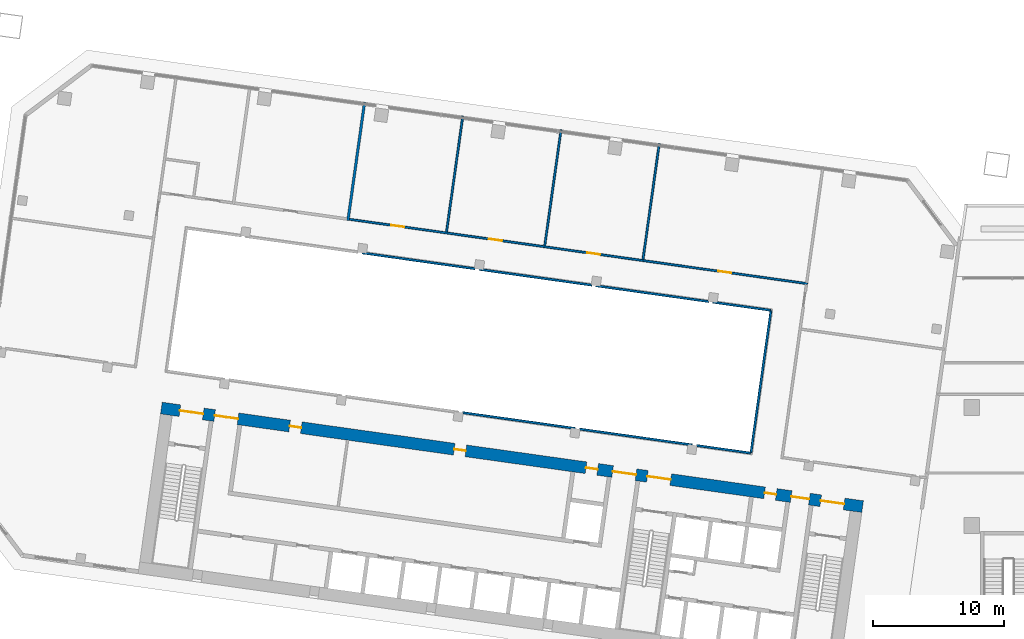
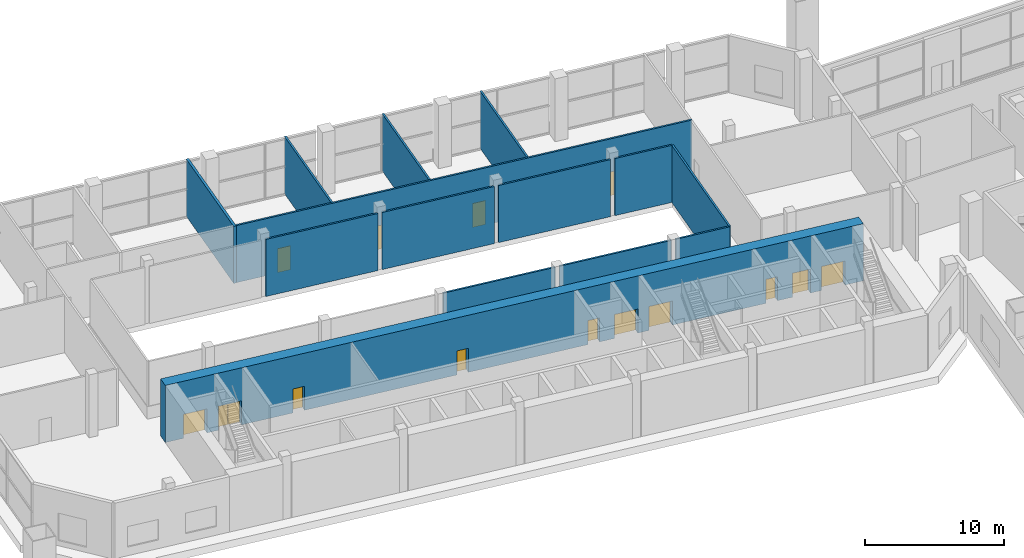
# One storey, part 12 of 23: 14 doors, 14 walls, 14 openings.
"""IFC4 building model written with IfcOpenShell, lengths in metres."""

from ifc_helpers import new_model, si_unit, direction, frame, frame_2d, origin, place, context, subcontext, project, spatial, rectangle, extrude, material, layer, layer_set, type_object, element, fill, save


model = new_model("IFC4")

# Units and contexts
model_context = context("Model", 3, precision=1e-05, world=origin(), true_north=direction((0.0, 1.0)))
body_context = subcontext(model_context, "Body", "Model", "MODEL_VIEW")
ifc_project = project(units=[si_unit("LENGTHUNIT", "METRE"), si_unit("AREAUNIT", "SQUARE_METRE"), si_unit("VOLUMEUNIT", "CUBIC_METRE"), si_unit("PLANEANGLEUNIT", "RADIAN"), si_unit("MASSUNIT", "GRAM", prefix="KILO")], contexts=[model_context])

# Site, building, storey
site_placement = place(None, origin())
site = spatial("IfcSite", under=ifc_project, at=site_placement, CompositionType="ELEMENT")
building_placement = place(site_placement, origin())
building = spatial("IfcBuilding", under=site, at=building_placement, Name="Mirante Cascada Hotel Towers", CompositionType="ELEMENT")
storey_placement = place(building_placement, frame((0.0, 0.0, 29.0)))
storey = spatial("IfcBuildingStorey", under=building, at=storey_placement, Name="L04", CompositionType="ELEMENT", Elevation=29.0)

# Wall, openings, doors
ifc_material_1 = material(Name="Masonry block", Category="masonry")
ifc_layer_1 = layer(ifc_material_1, 0.15)
ifc_layer_set_1 = layer_set([ifc_layer_1], Name="Corridor wall 150 block")
wall_type_1 = type_object("IfcWallType", Name="Corridor wall 150 block", PredefinedType="PARTITIONING", material=ifc_layer_set_1)
wall_1_placement = place(storey_placement, frame((-74.4688, 14.348, 0.0), z_axis=(0.0, 0.0, 1.0), x_axis=(0.990268, -0.1391734, 0.0)))
wall_1 = element("IfcWall", 1, at=wall_1_placement, inside=storey, type_object=wall_type_1, Name="Corridor wall T1 L04", PredefinedType="PARTITIONING", context=body_context, shape_type="SweptSolid", body=[
    extrude(rectangle(XDim=35.2862, YDim=0.15, at=frame_2d((17.6431, 0.0))), origin(), (0.0, 0.0, 1.0), 5.0),
])
opening_1_placement = place(wall_1_placement, frame((28.4074, 0.0, 0.0)))
opening_1 = element("IfcOpeningElement", 2, at=opening_1_placement, cuts=wall_1, Name="Opening DP1-L04-05", PredefinedType="OPENING", context=body_context, shape_type="SweptSolid", body=[
    extrude(rectangle(XDim=1.0, YDim=2.1, at=frame_2d((0.5, 1.05))), frame((0.0, 0.075, 0.0), z_axis=(0.0, -1.0, 0.0), x_axis=(1.0, 0.0, 0.0)), (0.0, 0.0, 1.0), 0.15),
])
opening_2_placement = place(wall_1_placement, frame((18.3214, 0.0, 0.0)))
opening_2 = element("IfcOpeningElement", 3, at=opening_2_placement, cuts=wall_1, Name="Opening DP1-L04-06", PredefinedType="OPENING", context=body_context, shape_type="SweptSolid", body=[
    extrude(rectangle(XDim=1.0, YDim=2.1, at=frame_2d((0.5, 1.05))), frame((0.0, 0.075, 0.0), z_axis=(0.0, -1.0, 0.0), x_axis=(1.0, 0.0, 0.0)), (0.0, 0.0, 1.0), 0.15),
])
opening_3_placement = place(wall_1_placement, frame((10.7568, 0.0, 0.0)))
opening_3 = element("IfcOpeningElement", 4, at=opening_3_placement, cuts=wall_1, Name="Opening DP1-L04-07", PredefinedType="OPENING", context=body_context, shape_type="SweptSolid", body=[
    extrude(rectangle(XDim=1.0, YDim=2.1, at=frame_2d((0.5, 1.05))), frame((0.0, 0.075, 0.0), z_axis=(0.0, -1.0, 0.0), x_axis=(1.0, 0.0, 0.0)), (0.0, 0.0, 1.0), 0.15),
])
opening_4_placement = place(wall_1_placement, frame((3.2373, 0.0, 0.0)))
opening_4 = element("IfcOpeningElement", 5, at=opening_4_placement, cuts=wall_1, Name="Opening DP1-L04-08", PredefinedType="OPENING", context=body_context, shape_type="SweptSolid", body=[
    extrude(rectangle(XDim=1.0, YDim=2.1, at=frame_2d((0.5, 1.05))), frame((0.0, 0.075, 0.0), z_axis=(0.0, -1.0, 0.0), x_axis=(1.0, 0.0, 0.0)), (0.0, 0.0, 1.0), 0.15),
])
ifc_material_2 = material(Name="Timber door leaf", Category="wood")
door_type_1 = type_object("IfcDoorType", Name="Single door 1000x2100", OperationType="NOTDEFINED", PredefinedType="DOOR", material=ifc_material_2)
door_1_placement = place(opening_1_placement, frame((1.0, 0.0, 0.0), z_axis=(0.0, 0.0, 1.0), x_axis=(-1.0, 0.0, 0.0)))
door_1 = element("IfcDoor", 6, at=door_1_placement, inside=storey, type_object=door_type_1, Name="Door DP1-L04-05", OperationType="SINGLE_SWING_LEFT", OverallHeight=2.1, OverallWidth=1.0, PredefinedType="DOOR", context=body_context, shape_type="SweptSolid", body=[
    extrude(rectangle(XDim=1.0, YDim=2.1, at=frame_2d((0.5, 1.05))), frame((0.0, 0.025, 0.0), z_axis=(0.0, -1.0, 0.0), x_axis=(1.0, 0.0, 0.0)), (0.0, 0.0, 1.0), 0.05),
])
fill(opening_1, door_1)
door_2_placement = place(opening_2_placement, origin())
door_2 = element("IfcDoor", 7, at=door_2_placement, inside=storey, type_object=door_type_1, Name="Door DP1-L04-06", OperationType="SINGLE_SWING_RIGHT", OverallHeight=2.1, OverallWidth=1.0, PredefinedType="DOOR", context=body_context, shape_type="SweptSolid", body=[
    extrude(rectangle(XDim=1.0, YDim=2.1, at=frame_2d((0.5, 1.05))), frame((0.0, 0.025, 0.0), z_axis=(0.0, -1.0, 0.0), x_axis=(1.0, 0.0, 0.0)), (0.0, 0.0, 1.0), 0.05),
])
fill(opening_2, door_2)
door_3_placement = place(opening_3_placement, frame((1.0, 0.0, 0.0), z_axis=(0.0, 0.0, 1.0), x_axis=(-1.0, 0.0, 0.0)))
door_3 = element("IfcDoor", 8, at=door_3_placement, inside=storey, type_object=door_type_1, Name="Door DP1-L04-07", OperationType="SINGLE_SWING_LEFT", OverallHeight=2.1, OverallWidth=1.0, PredefinedType="DOOR", context=body_context, shape_type="SweptSolid", body=[
    extrude(rectangle(XDim=1.0, YDim=2.1, at=frame_2d((0.5, 1.05))), frame((0.0, 0.025, 0.0), z_axis=(0.0, -1.0, 0.0), x_axis=(1.0, 0.0, 0.0)), (0.0, 0.0, 1.0), 0.05),
])
fill(opening_3, door_3)
door_4_placement = place(opening_4_placement, frame((1.0, 0.0, 0.0), z_axis=(0.0, 0.0, 1.0), x_axis=(-1.0, 0.0, 0.0)))
door_4 = element("IfcDoor", 9, at=door_4_placement, inside=storey, type_object=door_type_1, Name="Door DP1-L04-08", OperationType="SINGLE_SWING_RIGHT", OverallHeight=2.1, OverallWidth=1.0, PredefinedType="DOOR", context=body_context, shape_type="SweptSolid", body=[
    extrude(rectangle(XDim=1.0, YDim=2.1, at=frame_2d((0.5, 1.05))), frame((0.0, 0.025, 0.0), z_axis=(0.0, -1.0, 0.0), x_axis=(1.0, 0.0, 0.0)), (0.0, 0.0, 1.0), 0.05),
])
fill(opening_4, door_4)

# Walls
wall_2_placement = place(storey_placement, frame((-43.8376, -3.4584, 0.0), z_axis=(0.0, 0.0, 1.0), x_axis=(0.1391674, 0.9902689, 0.0)))
element("IfcWall", 10, at=wall_2_placement, inside=storey, type_object=wall_type_1, Name="Corridor wall T1 L04", PredefinedType="PARTITIONING", context=body_context, shape_type="SweptSolid", body=[
    extrude(rectangle(XDim=10.9401, YDim=0.15, at=frame_2d((5.47, 0.0))), origin(), (0.0, 0.0, 1.0), 5.0),
])
wall_3_placement = place(storey_placement, frame((-65.8216, -0.399, 0.0), z_axis=(0.0, 0.0, 1.0), x_axis=(0.9902682, -0.139172, 0.0)))
element("IfcWall", 11, at=wall_3_placement, inside=storey, type_object=wall_type_1, Name="Corridor wall T1 L04", PredefinedType="PARTITIONING", context=body_context, shape_type="SweptSolid", body=[
    extrude(rectangle(XDim=8.6713, YDim=0.15, at=frame_2d((4.3356, 0.0))), origin(), (0.0, 0.0, 1.0), 5.0),
])
wall_4_placement = place(storey_placement, frame((-56.9091, -1.6516, 0.0), z_axis=(0.0, 0.0, 1.0), x_axis=(0.990268, -0.1391735, 0.0)))
element("IfcWall", 12, at=wall_4_placement, inside=storey, type_object=wall_type_1, Name="Corridor wall T1 L04", PredefinedType="PARTITIONING", context=body_context, shape_type="SweptSolid", body=[
    extrude(rectangle(XDim=8.6712, YDim=0.15, at=frame_2d((4.3356, 0.0))), origin(), (0.0, 0.0, 1.0), 5.0),
])
wall_5_placement = place(storey_placement, frame((-47.9967, -2.9041, 0.0), z_axis=(0.0, 0.0, 1.0), x_axis=(0.9902667, -0.1391827, 0.0)))
element("IfcWall", 13, at=wall_5_placement, inside=storey, type_object=wall_type_1, Name="Corridor wall T1 L04", PredefinedType="PARTITIONING", context=body_context, shape_type="SweptSolid", body=[
    extrude(rectangle(XDim=4.1657, YDim=0.15, at=frame_2d((2.0828, 0.0))), origin(), (0.0, 0.0, 1.0), 5.0),
])
for number, where, z_axis, x_axis, name in (
    (14, (-73.4801, 11.7854, 0.0), (0.0, 0.0, 1.0), (0.9902682, -0.139172, 0.0), "Corridor wall T1 L04"),
    (15, (-64.5677, 10.5329, 0.0), (0.0, 0.0, 1.0), (0.9902682, -0.139172, 0.0), "Corridor wall T1 L04"),
    (16, (-55.6553, 9.2803, 0.0), (0.0, 0.0, 1.0), (0.9902682, -0.139172, 0.0), "Corridor wall T1 L04"),
):
    element("IfcWall", number, at=place(storey_placement, frame(where, z_axis=z_axis, x_axis=x_axis)), inside=storey, type_object=wall_type_1, Name=name, PredefinedType="PARTITIONING", context=body_context, shape_type="SweptSolid", body=[
        extrude(rectangle(XDim=8.6713, YDim=0.15, at=frame_2d((4.3356, 0.0))), origin(), (0.0, 0.0, 1.0), 5.0),
    ])
wall_6_placement = place(storey_placement, frame((-46.7429, 8.0277, 0.0), z_axis=(0.0, 0.0, 1.0), x_axis=(0.9902682, -0.1391725, 0.0)))
element("IfcWall", 17, at=wall_6_placement, inside=storey, type_object=wall_type_1, Name="Corridor wall T1 L04", PredefinedType="PARTITIONING", context=body_context, shape_type="SweptSolid", body=[
    extrude(rectangle(XDim=4.4456, YDim=0.15, at=frame_2d((2.2228, 0.0))), origin(), (0.0, 0.0, 1.0), 5.0),
])
ifc_material_3 = material(Name="Masonry block", Category="masonry")
ifc_layer_2 = layer(ifc_material_3, 0.2)
ifc_layer_set_2 = layer_set([ifc_layer_2], Name="Kitchen wall 200 block EI 120")
wall_type_2 = type_object("IfcWallType", Name="Kitchen wall 200 block EI 120", PredefinedType="PARTITIONING", material=ifc_layer_set_2)
wall_7_placement = place(storey_placement, frame((-74.5719, 14.2615, 0.0), z_axis=(0.0, 0.0, 1.0), x_axis=(0.1391764, 0.9902676, 0.0)))
element("IfcWall", 18, at=wall_7_placement, inside=storey, type_object=wall_type_2, Name="Kitchen wall T1 L04", PredefinedType="PARTITIONING", context=body_context, shape_type="SweptSolid", body=[
    extrude(rectangle(XDim=9.1, YDim=0.2, at=frame_2d((4.55, 0.0))), origin(), (0.0, 0.0, 1.0), 5.0),
])
ifc_material_4 = material(Name="Masonry block", Category="masonry")
ifc_layer_3 = layer(ifc_material_4, 0.15)
ifc_layer_set_3 = layer_set([ifc_layer_3], Name="Partition 150 block")
wall_type_3 = type_object("IfcWallType", Name="Partition 150 block", PredefinedType="PARTITIONING", material=ifc_layer_set_3)
wall_8_placement = place(storey_placement, frame((-52.0747, 11.2764, 0.0), z_axis=(0.0, 0.0, 1.0), x_axis=(0.13917, 0.9902685, 0.0)))
element("IfcWall", 19, at=wall_8_placement, inside=storey, type_object=wall_type_3, Name="Partition T1 L04", PredefinedType="PARTITIONING", context=body_context, shape_type="SweptSolid", body=[
    extrude(rectangle(XDim=8.9251, YDim=0.15, at=frame_2d((4.4626, 0.0))), origin(), (0.0, 0.0, 1.0), 5.0),
])
for number, where, z_axis, x_axis, name in (
    (20, (-59.5656, 12.3292, 0.0), (0.0, 0.0, 1.0), (0.1391716, 0.9902683, 0.0), "Partition T1 L04"),
    (21, (-67.0566, 13.382, 0.0), (0.0, 0.0, 1.0), (0.1391716, 0.9902683, 0.0), "Partition T1 L04"),
):
    element("IfcWall", number, at=place(storey_placement, frame(where, z_axis=z_axis, x_axis=x_axis)), inside=storey, type_object=wall_type_3, Name=name, PredefinedType="PARTITIONING", context=body_context, shape_type="SweptSolid", body=[
        extrude(rectangle(XDim=8.925, YDim=0.15, at=frame_2d((4.4625, 0.0))), origin(), (0.0, 0.0, 1.0), 5.0),
    ])

# Wall, openings, doors
ifc_material_5 = material(Name="Concrete C50/60", Category="concrete")
ifc_layer_4 = layer(ifc_material_5, 0.9)
ifc_layer_set_4 = layer_set([ifc_layer_4], Name="RC core wall 900 C50/60")
wall_type_4 = type_object("IfcWallType", Name="RC core wall 900 C50/60", PredefinedType="SHEAR", material=ifc_layer_set_4)
wall_9_placement = place(storey_placement, frame((-35.326, -7.5629, 0.0), z_axis=(0.0, 0.0, 1.0), x_axis=(-0.9902679, 0.139174, 0.0)))
wall_9 = element("IfcWall", 22, at=wall_9_placement, inside=storey, type_object=wall_type_4, Name="Core wall T1:L04:2", PredefinedType="SHEAR", context=body_context, shape_type="SweptSolid", body=[
    extrude(rectangle(XDim=54.0, YDim=0.9, at=frame_2d((27.0, 0.0))), origin(), (0.0, 0.0, 1.0), 5.0),
])
opening_5_placement = place(wall_9_placement, frame((1.425, 0.0, 0.0)))
opening_5 = element("IfcOpeningElement", 23, at=opening_5_placement, cuts=wall_9, Name="Opening D1-04-C17", PredefinedType="OPENING", context=body_context, shape_type="SweptSolid", body=[
    extrude(rectangle(XDim=1.8, YDim=2.1, at=frame_2d((0.9, 1.05))), frame((0.0, 0.45, 0.0), z_axis=(0.0, -1.0, 0.0), x_axis=(1.0, 0.0, 0.0)), (0.0, 0.0, 1.0), 0.9),
])
opening_6_placement = place(wall_9_placement, frame((14.775, 0.0, 0.0)))
opening_6 = element("IfcOpeningElement", 24, at=opening_6_placement, cuts=wall_9, Name="Opening D1-04-C19", PredefinedType="OPENING", context=body_context, shape_type="SweptSolid", body=[
    extrude(rectangle(XDim=1.8, YDim=2.1, at=frame_2d((0.9, 1.05))), frame((0.0, 0.45, 0.0), z_axis=(0.0, -1.0, 0.0), x_axis=(1.0, 0.0, 0.0)), (0.0, 0.0, 1.0), 0.9),
])
opening_7_placement = place(wall_9_placement, frame((50.775, 0.0, 0.0)))
opening_7 = element("IfcOpeningElement", 25, at=opening_7_placement, cuts=wall_9, Name="Opening D1-04-C21", PredefinedType="OPENING", context=body_context, shape_type="SweptSolid", body=[
    extrude(rectangle(XDim=1.8, YDim=2.1, at=frame_2d((0.9, 1.05))), frame((0.0, 0.45, 0.0), z_axis=(0.0, -1.0, 0.0), x_axis=(1.0, 0.0, 0.0)), (0.0, 0.0, 1.0), 0.9),
])
opening_8_placement = place(wall_9_placement, frame((4.1, 0.0, 0.0)))
opening_8 = element("IfcOpeningElement", 26, at=opening_8_placement, cuts=wall_9, Name="Opening D1-04-C22", PredefinedType="OPENING", context=body_context, shape_type="SweptSolid", body=[
    extrude(rectangle(XDim=1.4, YDim=2.1, at=frame_2d((0.7, 1.05))), frame((0.0, 0.45, 0.0), z_axis=(0.0, -1.0, 0.0), x_axis=(1.0, 0.0, 0.0)), (0.0, 0.0, 1.0), 0.9),
])
opening_9_placement = place(wall_9_placement, frame((17.45, 0.0, 0.0)))
opening_9 = element("IfcOpeningElement", 27, at=opening_9_placement, cuts=wall_9, Name="Opening D1-04-C23", PredefinedType="OPENING", context=body_context, shape_type="SweptSolid", body=[
    extrude(rectangle(XDim=1.8, YDim=2.1, at=frame_2d((0.9, 1.05))), frame((0.0, 0.45, 0.0), z_axis=(0.0, -1.0, 0.0), x_axis=(1.0, 0.0, 0.0)), (0.0, 0.0, 1.0), 0.9),
])
opening_10_placement = place(wall_9_placement, frame((48.1, 0.0, 0.0)))
opening_10 = element("IfcOpeningElement", 28, at=opening_10_placement, cuts=wall_9, Name="Opening D1-04-C24", PredefinedType="OPENING", context=body_context, shape_type="SweptSolid", body=[
    extrude(rectangle(XDim=1.8, YDim=2.1, at=frame_2d((0.9, 1.05))), frame((0.0, 0.45, 0.0), z_axis=(0.0, -1.0, 0.0), x_axis=(1.0, 0.0, 0.0)), (0.0, 0.0, 1.0), 0.9),
])
opening_11_placement = place(wall_9_placement, frame((6.65, 0.0, 0.0)))
opening_11 = element("IfcOpeningElement", 29, at=opening_11_placement, cuts=wall_9, Name="Opening D1-04-C27", PredefinedType="OPENING", context=body_context, shape_type="SweptSolid", body=[
    extrude(rectangle(XDim=0.9, YDim=2.1, at=frame_2d((0.45, 1.05))), frame((0.0, 0.45, 0.0), z_axis=(0.0, -1.0, 0.0), x_axis=(1.0, 0.0, 0.0)), (0.0, 0.0, 1.0), 0.9),
])
opening_12_placement = place(wall_9_placement, frame((20.4, 0.0, 0.0)))
opening_12 = element("IfcOpeningElement", 30, at=opening_12_placement, cuts=wall_9, Name="Opening D1-04-C30", PredefinedType="OPENING", context=body_context, shape_type="SweptSolid", body=[
    extrude(rectangle(XDim=0.9, YDim=2.1, at=frame_2d((0.45, 1.05))), frame((0.0, 0.45, 0.0), z_axis=(0.0, -1.0, 0.0), x_axis=(1.0, 0.0, 0.0)), (0.0, 0.0, 1.0), 0.9),
])
opening_13_placement = place(wall_9_placement, frame((30.55, 0.0, 0.0)))
opening_13 = element("IfcOpeningElement", 31, at=opening_13_placement, cuts=wall_9, Name="Opening D1-04-C31", PredefinedType="OPENING", context=body_context, shape_type="SweptSolid", body=[
    extrude(rectangle(XDim=0.9, YDim=2.1, at=frame_2d((0.45, 1.05))), frame((0.0, 0.45, 0.0), z_axis=(0.0, -1.0, 0.0), x_axis=(1.0, 0.0, 0.0)), (0.0, 0.0, 1.0), 0.9),
])
opening_14_placement = place(wall_9_placement, frame((43.225, 0.0, 0.0)))
opening_14 = element("IfcOpeningElement", 32, at=opening_14_placement, cuts=wall_9, Name="Opening D1-04-C32", PredefinedType="OPENING", context=body_context, shape_type="SweptSolid", body=[
    extrude(rectangle(XDim=0.9, YDim=2.1, at=frame_2d((0.45, 1.05))), frame((0.0, 0.45, 0.0), z_axis=(0.0, -1.0, 0.0), x_axis=(1.0, 0.0, 0.0)), (0.0, 0.0, 1.0), 0.9),
])
ifc_material_6 = material(Name="Hollow metal fire door leaf")
door_type_2 = type_object("IfcDoorType", Name="Double fire door 1400x2100 FD60", OperationType="DOUBLE_DOOR_SINGLE_SWING", PredefinedType="DOOR", material=ifc_material_6)
door_5_placement = place(opening_8_placement, frame((1.4, 0.0, 0.0), z_axis=(0.0, 0.0, 1.0), x_axis=(-1.0, 0.0, 0.0)))
door_5 = element("IfcDoor", 33, at=door_5_placement, inside=storey, type_object=door_type_2, Name="Exit door to gallery T1 L04 22", OperationType="DOUBLE_DOOR_SINGLE_SWING", OverallHeight=2.1, OverallWidth=1.4, PredefinedType="DOOR", context=body_context, shape_type="SweptSolid", body=[
    extrude(rectangle(XDim=0.695, YDim=2.1, at=frame_2d((0.3475, 1.05))), frame((0.0, 0.025, 0.0), z_axis=(0.0, -1.0, 0.0), x_axis=(1.0, 0.0, 0.0)), (0.0, 0.0, 1.0), 0.05),
    extrude(rectangle(XDim=0.695, YDim=2.1, at=frame_2d((1.0525, 1.05))), frame((0.0, 0.025, 0.0), z_axis=(0.0, -1.0, 0.0), x_axis=(1.0, 0.0, 0.0)), (0.0, 0.0, 1.0), 0.05),
])
fill(opening_8, door_5)
ifc_material_7 = material(Name="Hollow metal fire door leaf")
door_type_3 = type_object("IfcDoorType", Name="Double fire door 1800x2100 FD60", OperationType="DOUBLE_DOOR_SINGLE_SWING", PredefinedType="DOOR", material=ifc_material_7)
door_6_placement = place(opening_5_placement, origin())
door_6 = element("IfcDoor", 34, at=door_6_placement, inside=storey, type_object=door_type_3, Name="Exit door to gallery T1 L04 17", OperationType="DOUBLE_DOOR_SINGLE_SWING", OverallHeight=2.1, OverallWidth=1.8, PredefinedType="DOOR", context=body_context, shape_type="SweptSolid", body=[
    extrude(rectangle(XDim=0.895, YDim=2.1, at=frame_2d((0.4475, 1.05))), frame((0.0, 0.025, 0.0), z_axis=(0.0, -1.0, 0.0), x_axis=(1.0, 0.0, 0.0)), (0.0, 0.0, 1.0), 0.05),
    extrude(rectangle(XDim=0.895, YDim=2.1, at=frame_2d((1.3525, 1.05))), frame((0.0, 0.025, 0.0), z_axis=(0.0, -1.0, 0.0), x_axis=(1.0, 0.0, 0.0)), (0.0, 0.0, 1.0), 0.05),
])
fill(opening_5, door_6)
door_7_placement = place(opening_6_placement, origin())
door_7 = element("IfcDoor", 35, at=door_7_placement, inside=storey, type_object=door_type_3, Name="Exit door to gallery T1 L04 19", OperationType="DOUBLE_DOOR_SINGLE_SWING", OverallHeight=2.1, OverallWidth=1.8, PredefinedType="DOOR", context=body_context, shape_type="SweptSolid", body=[
    extrude(rectangle(XDim=0.895, YDim=2.1, at=frame_2d((0.4475, 1.05))), frame((0.0, 0.025, 0.0), z_axis=(0.0, -1.0, 0.0), x_axis=(1.0, 0.0, 0.0)), (0.0, 0.0, 1.0), 0.05),
    extrude(rectangle(XDim=0.895, YDim=2.1, at=frame_2d((1.3525, 1.05))), frame((0.0, 0.025, 0.0), z_axis=(0.0, -1.0, 0.0), x_axis=(1.0, 0.0, 0.0)), (0.0, 0.0, 1.0), 0.05),
])
fill(opening_6, door_7)
door_8_placement = place(opening_7_placement, origin())
door_8 = element("IfcDoor", 36, at=door_8_placement, inside=storey, type_object=door_type_3, Name="Exit door to gallery T1 L04 21", OperationType="DOUBLE_DOOR_SINGLE_SWING", OverallHeight=2.1, OverallWidth=1.8, PredefinedType="DOOR", context=body_context, shape_type="SweptSolid", body=[
    extrude(rectangle(XDim=0.895, YDim=2.1, at=frame_2d((0.4475, 1.05))), frame((0.0, 0.025, 0.0), z_axis=(0.0, -1.0, 0.0), x_axis=(1.0, 0.0, 0.0)), (0.0, 0.0, 1.0), 0.05),
    extrude(rectangle(XDim=0.895, YDim=2.1, at=frame_2d((1.3525, 1.05))), frame((0.0, 0.025, 0.0), z_axis=(0.0, -1.0, 0.0), x_axis=(1.0, 0.0, 0.0)), (0.0, 0.0, 1.0), 0.05),
])
fill(opening_7, door_8)
door_9_placement = place(opening_9_placement, frame((1.8, 0.0, 0.0), z_axis=(0.0, 0.0, 1.0), x_axis=(-1.0, 0.0, 0.0)))
door_9 = element("IfcDoor", 37, at=door_9_placement, inside=storey, type_object=door_type_3, Name="Exit door to gallery T1 L04 23", OperationType="DOUBLE_DOOR_SINGLE_SWING", OverallHeight=2.1, OverallWidth=1.8, PredefinedType="DOOR", context=body_context, shape_type="SweptSolid", body=[
    extrude(rectangle(XDim=0.895, YDim=2.1, at=frame_2d((0.4475, 1.05))), frame((0.0, 0.025, 0.0), z_axis=(0.0, -1.0, 0.0), x_axis=(1.0, 0.0, 0.0)), (0.0, 0.0, 1.0), 0.05),
    extrude(rectangle(XDim=0.895, YDim=2.1, at=frame_2d((1.3525, 1.05))), frame((0.0, 0.025, 0.0), z_axis=(0.0, -1.0, 0.0), x_axis=(1.0, 0.0, 0.0)), (0.0, 0.0, 1.0), 0.05),
])
fill(opening_9, door_9)
door_10_placement = place(opening_10_placement, frame((1.8, 0.0, 0.0), z_axis=(0.0, 0.0, 1.0), x_axis=(-1.0, 0.0, 0.0)))
door_10 = element("IfcDoor", 38, at=door_10_placement, inside=storey, type_object=door_type_3, Name="Exit door to gallery T1 L04 24", OperationType="DOUBLE_DOOR_SINGLE_SWING", OverallHeight=2.1, OverallWidth=1.8, PredefinedType="DOOR", context=body_context, shape_type="SweptSolid", body=[
    extrude(rectangle(XDim=0.895, YDim=2.1, at=frame_2d((0.4475, 1.05))), frame((0.0, 0.025, 0.0), z_axis=(0.0, -1.0, 0.0), x_axis=(1.0, 0.0, 0.0)), (0.0, 0.0, 1.0), 0.05),
    extrude(rectangle(XDim=0.895, YDim=2.1, at=frame_2d((1.3525, 1.05))), frame((0.0, 0.025, 0.0), z_axis=(0.0, -1.0, 0.0), x_axis=(1.0, 0.0, 0.0)), (0.0, 0.0, 1.0), 0.05),
])
fill(opening_10, door_10)
ifc_material_8 = material(Name="Hollow metal fire door leaf")
door_type_4 = type_object("IfcDoorType", Name="Fire door 900x2100 FD60", OperationType="NOTDEFINED", PredefinedType="DOOR", material=ifc_material_8)
door_11_placement = place(opening_11_placement, origin())
door_11 = element("IfcDoor", 39, at=door_11_placement, inside=storey, type_object=door_type_4, Name="Room door T1 L04 27", OperationType="SINGLE_SWING_RIGHT", OverallHeight=2.1, OverallWidth=0.9, PredefinedType="DOOR", context=body_context, shape_type="SweptSolid", body=[
    extrude(rectangle(XDim=0.9, YDim=2.1, at=frame_2d((0.45, 1.05))), frame((0.0, 0.025, 0.0), z_axis=(0.0, -1.0, 0.0), x_axis=(1.0, 0.0, 0.0)), (0.0, 0.0, 1.0), 0.05),
])
fill(opening_11, door_11)
door_12_placement = place(opening_12_placement, origin())
door_12 = element("IfcDoor", 40, at=door_12_placement, inside=storey, type_object=door_type_4, Name="Room door T1 L04 30", OperationType="SINGLE_SWING_RIGHT", OverallHeight=2.1, OverallWidth=0.9, PredefinedType="DOOR", context=body_context, shape_type="SweptSolid", body=[
    extrude(rectangle(XDim=0.9, YDim=2.1, at=frame_2d((0.45, 1.05))), frame((0.0, 0.025, 0.0), z_axis=(0.0, -1.0, 0.0), x_axis=(1.0, 0.0, 0.0)), (0.0, 0.0, 1.0), 0.05),
])
fill(opening_12, door_12)
door_13_placement = place(opening_13_placement, origin())
door_13 = element("IfcDoor", 41, at=door_13_placement, inside=storey, type_object=door_type_4, Name="Room door T1 L04 31", OperationType="SINGLE_SWING_LEFT", OverallHeight=2.1, OverallWidth=0.9, PredefinedType="DOOR", context=body_context, shape_type="SweptSolid", body=[
    extrude(rectangle(XDim=0.9, YDim=2.1, at=frame_2d((0.45, 1.05))), frame((0.0, 0.025, 0.0), z_axis=(0.0, -1.0, 0.0), x_axis=(1.0, 0.0, 0.0)), (0.0, 0.0, 1.0), 0.05),
])
fill(opening_13, door_13)
door_14_placement = place(opening_14_placement, origin())
door_14 = element("IfcDoor", 42, at=door_14_placement, inside=storey, type_object=door_type_4, Name="Room door T1 L04 32", OperationType="SINGLE_SWING_LEFT", OverallHeight=2.1, OverallWidth=0.9, PredefinedType="DOOR", context=body_context, shape_type="SweptSolid", body=[
    extrude(rectangle(XDim=0.9, YDim=2.1, at=frame_2d((0.45, 1.05))), frame((0.0, 0.025, 0.0), z_axis=(0.0, -1.0, 0.0), x_axis=(1.0, 0.0, 0.0)), (0.0, 0.0, 1.0), 0.05),
])
fill(opening_14, door_14)

save(model, "model.ifc")
